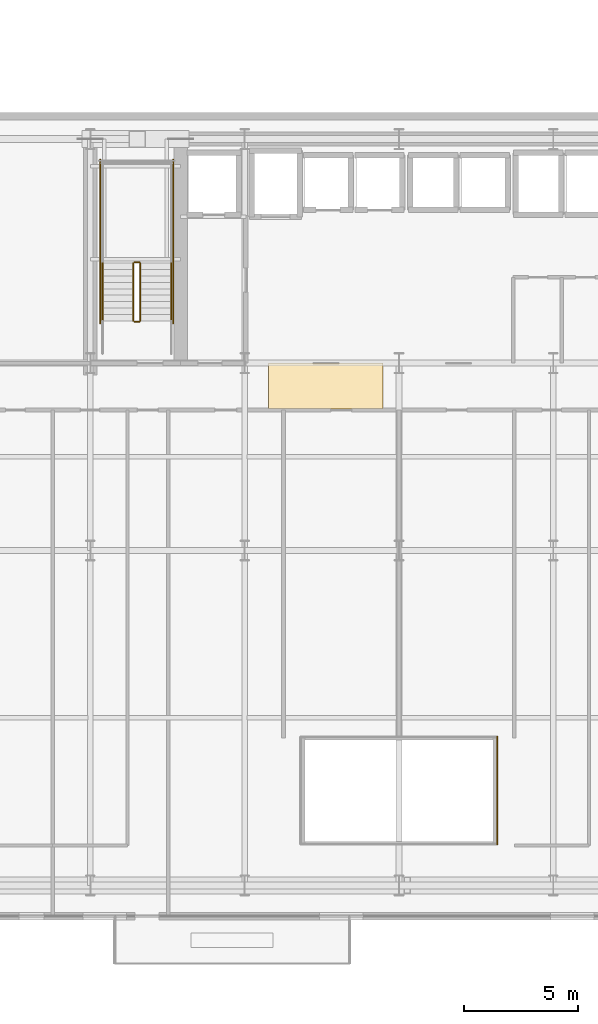
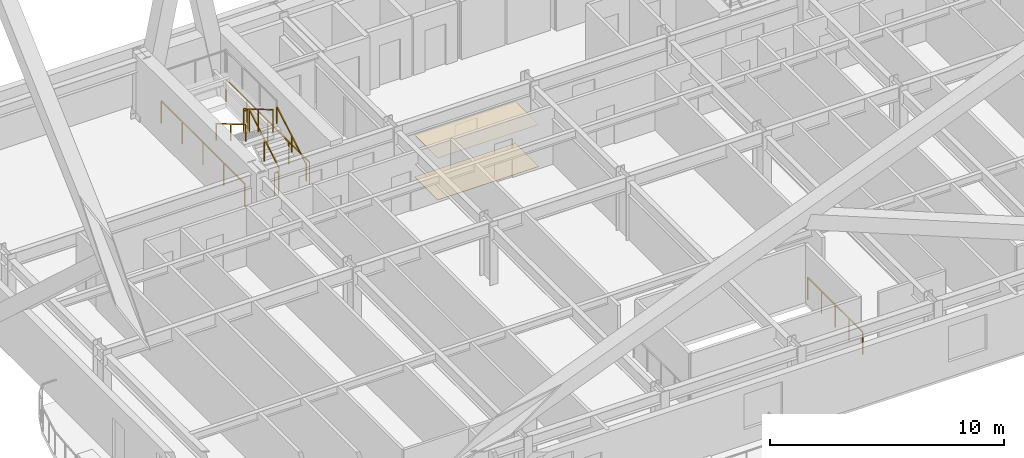
# One storey, part 14 of 20: 9 railings, 2 coverings.
"""IFC4 building model written with IfcOpenShell, lengths in metres."""

from ifc_helpers import new_model, si_unit, direction, frame, origin, origin_2d, place, context, subcontext, project, spatial, polyline, rectangle, outline, extrude, material, layer, layer_set, type_object, element, save


model = new_model("IFC4")

# Units and contexts
model_context = context("Model", 3, precision=1e-05, world=origin(), true_north=direction((0.0, 1.0)))
body_context = subcontext(model_context, "Body", "Model", "MODEL_VIEW")
ifc_project = project(units=[si_unit("LENGTHUNIT", "METRE"), si_unit("AREAUNIT", "SQUARE_METRE"), si_unit("VOLUMEUNIT", "CUBIC_METRE"), si_unit("PLANEANGLEUNIT", "RADIAN"), si_unit("MASSUNIT", "GRAM", prefix="KILO")], contexts=[model_context])

# Site, building, storey
site_placement = place(None, origin())
site = spatial("IfcSite", under=ifc_project, at=site_placement, CompositionType="ELEMENT")
building_placement = place(site_placement, origin())
building = spatial("IfcBuilding", under=site, at=building_placement, Name="Haevon Station Towers", CompositionType="ELEMENT")
storey_placement = place(building_placement, frame((0.0, 0.0, 30.60009765625)))
storey = spatial("IfcBuildingStorey", under=building, at=storey_placement, Name="L06", CompositionType="ELEMENT", Elevation=30.60009765625)

# Railing
ifc_material_1 = material(Name="Steel S355", Category="steel")
railing_type_1 = type_object("IfcRailingType", Name="BAL-ATR1200", PredefinedType="BALUSTRADE", material=ifc_material_1)
railing_1_placement = place(storey_placement, frame((41.80517578125, 17.142333984375, 0.0)))
element("IfcRailing", 1, at=railing_1_placement, inside=storey, type_object=railing_type_1, Name="L06 Atrium Void Balustrade 2", PredefinedType="BALUSTRADE", context=body_context, shape_type="SweptSolid", body=[
    extrude(rectangle(XDim=0.048095703125, YDim=0.048095703125, at=origin_2d()), frame((0.0, 0.0, 1.17578125), z_axis=(0.0, 1.0, 0.0), x_axis=(-1.0, 0.0, 0.0)), (0.0, 0.0, 1.0), 4.71533203125),
    extrude(rectangle(XDim=0.0419921875, YDim=0.0419921875, at=origin_2d()), origin(), (0.0, 0.0, 1.0), 1.15185546875),
    extrude(rectangle(XDim=0.0419921875, YDim=0.0419921875, at=origin_2d()), frame((0.0, 1.1787109375, 0.0)), (0.0, 0.0, 1.0), 1.15185546875),
    extrude(rectangle(XDim=0.0419921875, YDim=0.0419921875, at=origin_2d()), frame((0.0, 2.357666015625, 0.0)), (0.0, 0.0, 1.0), 1.15185546875),
    extrude(rectangle(XDim=0.0419921875, YDim=0.0419921875, at=origin_2d()), frame((0.0, 3.53662109375, 0.0)), (0.0, 0.0, 1.0), 1.15185546875),
    extrude(rectangle(XDim=0.0419921875, YDim=0.0419921875, at=origin_2d()), frame((0.0, 4.71533203125, 0.0)), (0.0, 0.0, 1.0), 1.15185546875),
])

# Coverings
ifc_material_2 = material(Name="Gypsum acoustic ceiling tile", Category="concrete")
ifc_layer_1 = layer(ifc_material_2, 0.014892578125)
ifc_layer_set_1 = layer_set([ifc_layer_1], Name="Gypsum acoustic ceiling tile")
covering_type_1 = type_object("IfcCoveringType", Name="COV-CEIL15", PredefinedType="CEILING", material=ifc_layer_set_1)
covering_1_placement = place(storey_placement, frame((0.0, 0.0, 2.199951171875)))
element("IfcCovering", 2, at=covering_1_placement, inside=storey, type_object=covering_type_1, Name="L06 Acoustic Corridor Ceiling", PredefinedType="CEILING", context=body_context, shape_type="SweptSolid", body=[
    extrude(outline(polyline([(31.800048828125, 36.199951171875), (36.800048828125, 36.199951171875), (36.800048828125, 38.199951171875), (31.800048828125, 38.199951171875), (31.800048828125, 36.199951171875)])), origin(), (0.0, 0.0, 1.0), 0.014892578125),
])
ifc_material_3 = material(Name="Granite stone paving", Category="masonry")
ifc_layer_2 = layer(ifc_material_3, 0.02001953125)
ifc_layer_set_2 = layer_set([ifc_layer_2], Name="Granite stone paving")
covering_type_2 = type_object("IfcCoveringType", Name="COV-FLR20", PredefinedType="FLOORING", material=ifc_layer_set_2)
covering_2_placement = place(storey_placement, origin())
element("IfcCovering", 3, at=covering_2_placement, inside=storey, type_object=covering_type_2, Name="L06 Corridor Stone Flooring", PredefinedType="FLOORING", context=body_context, shape_type="SweptSolid", body=[
    extrude(outline(polyline([(31.800048828125, 36.199951171875), (36.800048828125, 36.199951171875), (36.800048828125, 38.199951171875), (31.800048828125, 38.199951171875), (31.800048828125, 36.199951171875)])), origin(), (0.0, 0.0, 1.0), 0.02001953125),
])

# Railings
railing_type_2 = type_object("IfcRailingType", Name="GRD-STR1200", PredefinedType="GUARDRAIL", material=ifc_material_1)
railing_2_placement = place(storey_placement, frame((26.179931640625, 40.050048828125, 0.164794921875)))
element("IfcRailing", 4, at=railing_2_placement, inside=storey, type_object=railing_type_2, Name="L06 ST1 Stair Guard 1", PredefinedType="GUARDRAIL", context=body_context, shape_type="SweptSolid", body=[
    extrude(rectangle(XDim=0.048095703125, YDim=0.048095703125, at=origin_2d()), frame((0.0, 0.0, 1.17578125), z_axis=(0.0, 0.86152411907, 0.507716645641), x_axis=(-1.0, 0.0, 0.0)), (0.0, 0.0, 1.0), 2.925048828125),
    extrude(rectangle(XDim=0.0419921875, YDim=0.0419921875, at=origin_2d()), origin(), (0.0, 0.0, 1.0), 1.15185546875),
    extrude(rectangle(XDim=0.0419921875, YDim=0.0419921875, at=origin_2d()), frame((0.0, 1.260009765625, 0.74267578125)), (0.0, 0.0, 1.0), 1.15185546875),
    extrude(rectangle(XDim=0.0419921875, YDim=0.0419921875, at=origin_2d()), frame((0.0, 2.52001953125, 1.485107421875)), (0.0, 0.0, 1.0), 1.15185546875),
])
railing_3_placement = place(storey_placement, frame((26.1298828125, 42.6201171875, 1.64990234375)))
element("IfcRailing", 5, at=railing_3_placement, inside=storey, type_object=railing_type_2, Name="L06 ST1 Stair Guard 2", PredefinedType="GUARDRAIL", context=body_context, shape_type="SweptSolid", body=[
    extrude(rectangle(XDim=0.048095703125, YDim=0.048095703125, at=origin_2d()), frame((0.0, 0.0, 1.17578125), z_axis=(-1.0, 0.0, 0.0), x_axis=(0.0, -1.0, 0.0)), (0.0, 0.0, 1.0), 0.199951171875),
    extrude(rectangle(XDim=0.0419921875, YDim=0.0419921875, at=origin_2d()), origin(), (0.0, 0.0, 1.0), 1.15185546875),
    extrude(rectangle(XDim=0.0419921875, YDim=0.0419921875, at=origin_2d()), frame((-0.199951171875, 0.0, 0.0)), (0.0, 0.0, 1.0), 1.15185546875),
])
railing_4_placement = place(storey_placement, frame((25.8798828125, 42.570068359375, 1.81494140625)))
element("IfcRailing", 6, at=railing_4_placement, inside=storey, type_object=railing_type_2, Name="L06 ST1 Stair Guard 6", PredefinedType="GUARDRAIL", context=body_context, shape_type="SweptSolid", body=[
    extrude(rectangle(XDim=0.048095703125, YDim=0.048095703125, at=origin_2d()), frame((0.0, 0.0, 1.17578125), z_axis=(0.0, -0.861560626758, 0.507654692109), x_axis=(1.0, 0.0, 0.0)), (0.0, 0.0, 1.0), 2.925048828125),
    extrude(rectangle(XDim=0.0419921875, YDim=0.0419921875, at=origin_2d()), origin(), (0.0, 0.0, 1.0), 1.15185546875),
    extrude(rectangle(XDim=0.0419921875, YDim=0.0419921875, at=origin_2d()), frame((0.0, -1.260009765625, 0.742431640625)), (0.0, 0.0, 1.0), 1.15185546875),
    extrude(rectangle(XDim=0.0419921875, YDim=0.0419921875, at=origin_2d()), frame((0.0, -2.52001953125, 1.48486328125)), (0.0, 0.0, 1.0), 1.15185546875),
])
railing_5_placement = place(storey_placement, frame((26.1298828125, 40.0, 0.0)))
element("IfcRailing", 7, at=railing_5_placement, inside=storey, type_object=railing_type_2, Name="L06 ST1 Stair Guard 7", PredefinedType="GUARDRAIL", context=body_context, shape_type="SweptSolid", body=[
    extrude(rectangle(XDim=0.048095703125, YDim=0.048095703125, at=origin_2d()), frame((0.0, 0.0, 1.17578125), z_axis=(-1.0, 0.0, 0.0), x_axis=(0.0, -1.0, 0.0)), (0.0, 0.0, 1.0), 0.199951171875),
    extrude(rectangle(XDim=0.0419921875, YDim=0.0419921875, at=origin_2d()), origin(), (0.0, 0.0, 1.0), 1.15185546875),
    extrude(rectangle(XDim=0.0419921875, YDim=0.0419921875, at=origin_2d()), frame((-0.199951171875, 0.0, 0.0)), (0.0, 0.0, 1.0), 1.15185546875),
])
for number, where, name in (
    (8, (27.6298828125, 39.949951171875, 0.0), "L06 ST1 Stair Guard 10"),
    (9, (24.429931640625, 39.949951171875, 0.0), "L06 ST1 Stair Guard 11"),
):
    element("IfcRailing", number, at=place(storey_placement, frame(where)), inside=storey, type_object=railing_type_2, Name=name, PredefinedType="GUARDRAIL", context=body_context, shape_type="SweptSolid", body=[
        extrude(rectangle(XDim=0.048095703125, YDim=0.048095703125, at=origin_2d()), frame((0.0, 0.0, 1.17578125), z_axis=(0.0, 1.0, 0.0), x_axis=(-1.0, 0.0, 0.0)), (0.0, 0.0, 1.0), 7.150146484375),
        extrude(rectangle(XDim=0.0419921875, YDim=0.0419921875, at=origin_2d()), origin(), (0.0, 0.0, 1.0), 1.15185546875),
        extrude(rectangle(XDim=0.0419921875, YDim=0.0419921875, at=origin_2d()), frame((0.0, 1.78759765625, 0.0)), (0.0, 0.0, 1.0), 1.15185546875),
        extrude(rectangle(XDim=0.0419921875, YDim=0.0419921875, at=origin_2d()), frame((0.0, 3.5751953125, 0.0)), (0.0, 0.0, 1.0), 1.15185546875),
        extrude(rectangle(XDim=0.0419921875, YDim=0.0419921875, at=origin_2d()), frame((0.0, 5.362548828125, 0.0)), (0.0, 0.0, 1.0), 1.15185546875),
        extrude(rectangle(XDim=0.0419921875, YDim=0.0419921875, at=origin_2d()), frame((0.0, 7.150146484375, 0.0)), (0.0, 0.0, 1.0), 1.15185546875),
    ])
railing_type_3 = type_object("IfcRailingType", Name="HND-STR900", PredefinedType="HANDRAIL", material=ifc_material_1)
railing_6_placement = place(storey_placement, frame((27.530029296875, 40.050048828125, 0.164794921875)))
element("IfcRailing", 10, at=railing_6_placement, inside=storey, type_object=railing_type_3, Name="L06 ST1 Stair Handrail 1", PredefinedType="HANDRAIL", context=body_context, shape_type="SweptSolid", body=[
    extrude(rectangle(XDim=0.048095703125, YDim=0.048095703125, at=origin_2d()), frame((0.0, 0.0, 0.8759765625), z_axis=(0.0, 0.86152411907, 0.507716645641), x_axis=(-1.0, 0.0, 0.0)), (0.0, 0.0, 1.0), 2.925048828125),
    extrude(rectangle(XDim=0.0419921875, YDim=0.0419921875, at=origin_2d()), origin(), (0.0, 0.0, 1.0), 0.851806640625),
    extrude(rectangle(XDim=0.0419921875, YDim=0.0419921875, at=origin_2d()), frame((0.0, 1.260009765625, 0.74267578125)), (0.0, 0.0, 1.0), 0.851806640625),
    extrude(rectangle(XDim=0.0419921875, YDim=0.0419921875, at=origin_2d()), frame((0.0, 2.52001953125, 1.485107421875)), (0.0, 0.0, 1.0), 0.851806640625),
])
railing_7_placement = place(storey_placement, frame((24.530029296875, 42.570068359375, 1.81494140625)))
element("IfcRailing", 11, at=railing_7_placement, inside=storey, type_object=railing_type_3, Name="L06 ST1 Stair Handrail 2", PredefinedType="HANDRAIL", context=body_context, shape_type="SweptSolid", body=[
    extrude(rectangle(XDim=0.048095703125, YDim=0.048095703125, at=origin_2d()), frame((0.0, 0.0, 0.8759765625), z_axis=(0.0, -0.861560626758, 0.507654692109), x_axis=(1.0, 0.0, 0.0)), (0.0, 0.0, 1.0), 2.925048828125),
    extrude(rectangle(XDim=0.0419921875, YDim=0.0419921875, at=origin_2d()), origin(), (0.0, 0.0, 1.0), 0.851806640625),
    extrude(rectangle(XDim=0.0419921875, YDim=0.0419921875, at=origin_2d()), frame((0.0, -1.260009765625, 0.742431640625)), (0.0, 0.0, 1.0), 0.851806640625),
    extrude(rectangle(XDim=0.0419921875, YDim=0.0419921875, at=origin_2d()), frame((0.0, -2.52001953125, 1.48486328125)), (0.0, 0.0, 1.0), 0.851806640625),
])

save(model, "model.ifc")
